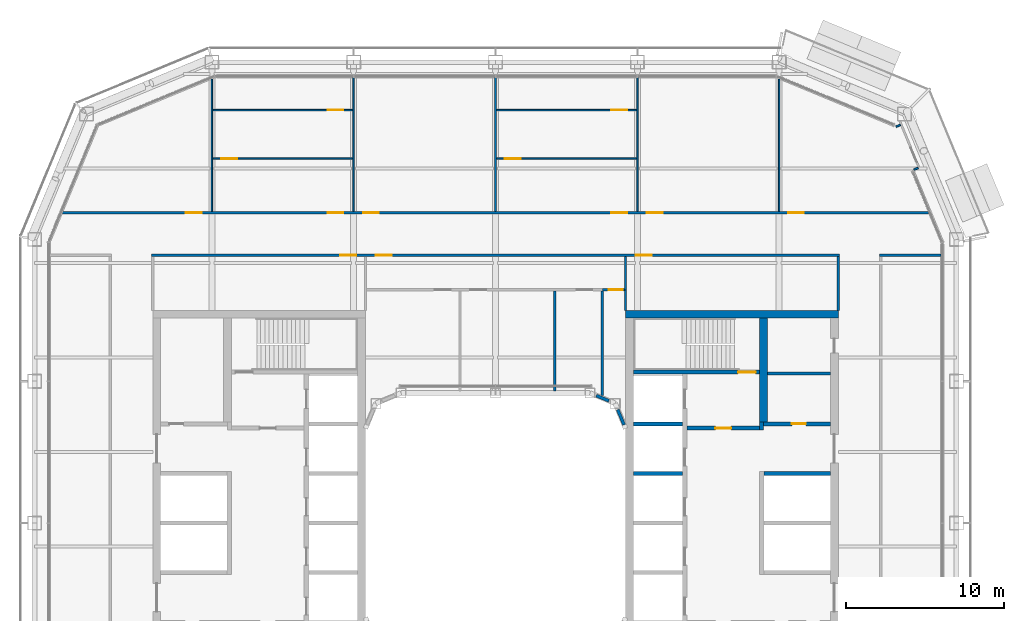
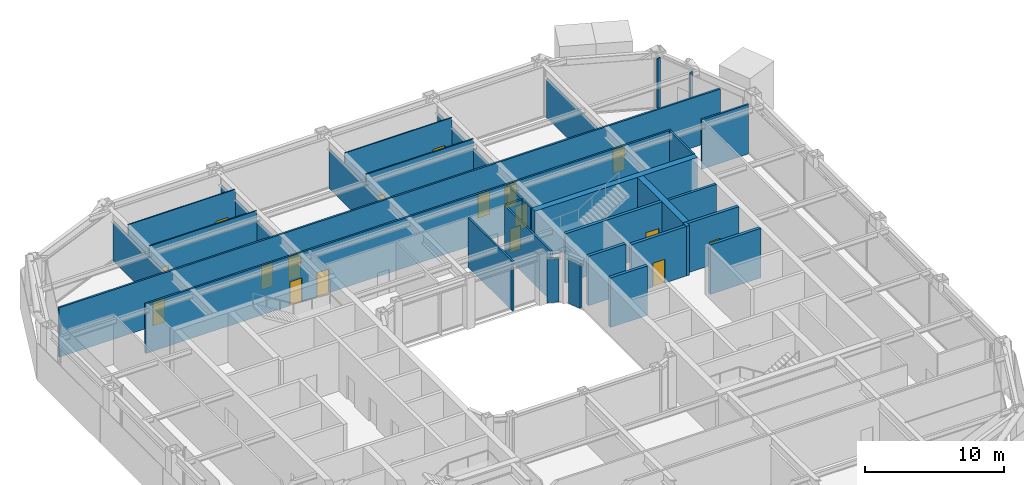
# One storey, part 14 of 24: 32 walls, 17 doors, 17 openings.
"""IFC4 building model written with IfcOpenShell, lengths in metres."""

from ifc_helpers import new_model, si_unit, direction, frame, frame_2d, origin, place, context, subcontext, project, spatial, rectangle, extrude, material, layer, layer_set, type_object, element, fill, save


model = new_model("IFC4")

# Units and contexts
model_context = context("Model", 3, precision=1e-05, world=origin(), true_north=direction((0.0, 1.0)))
body_context = subcontext(model_context, "Body", "Model", "MODEL_VIEW")
ifc_project = project(units=[si_unit("LENGTHUNIT", "METRE"), si_unit("AREAUNIT", "SQUARE_METRE"), si_unit("VOLUMEUNIT", "CUBIC_METRE"), si_unit("PLANEANGLEUNIT", "RADIAN"), si_unit("MASSUNIT", "GRAM", prefix="KILO")], contexts=[model_context])

# Site, building, storey
site_placement = place(None, origin())
site = spatial("IfcSite", under=ifc_project, at=site_placement, CompositionType="ELEMENT")
building_placement = place(site_placement, origin())
building = spatial("IfcBuilding", under=site, at=building_placement, Name="Siwar Civic Tower", CompositionType="ELEMENT")
storey_placement = place(building_placement, frame((0.0, 0.0, 149.699951171875)))
storey = spatial("IfcBuildingStorey", under=building, at=storey_placement, Name="L32", CompositionType="ELEMENT", Elevation=149.699951171875)

# Wall, opening, door
ifc_material_1 = material(Name="Gypsum board on steel studs", Category="steel")
ifc_layer_1 = layer(ifc_material_1, 0.14990234375)
ifc_layer_set_1 = layer_set([ifc_layer_1], Name="Gypsum board on steel studs")
wall_type_1 = type_object("IfcWallType", Name="COMPARTMENT PARTITION 150 EI 60", PredefinedType="PARTITIONING", material=ifc_layer_set_1)
wall_1_placement = place(storey_placement, frame((6.780029296875, 14.800048828125, 0.0), z_axis=(0.0, 0.0, 1.0), x_axis=(1.0, 0.0, 0.0)))
wall_1 = element("IfcWall", 1, at=wall_1_placement, inside=storey, type_object=wall_type_1, Name="L32/wall/P09", PredefinedType="PARTITIONING", context=body_context, shape_type="SweptSolid", body=[
    extrude(rectangle(XDim=1.39501953125, YDim=0.14990234375, at=frame_2d((0.697509765625, 0.0))), origin(), (0.0, 0.0, 1.0), 4.35009765625),
])
opening_1_placement = place(wall_1_placement, frame((0.39990234375, 0.0, 0.0)))
opening_1 = element("IfcOpeningElement", 2, at=opening_1_placement, cuts=wall_1, Name="Opening D4", PredefinedType="OPENING", context=body_context, shape_type="SweptSolid", body=[
    extrude(rectangle(XDim=0.89990234375, YDim=2.10009765625, at=frame_2d((0.449951171875, 1.050048828125))), frame((0.0, 0.0849609375, 0.0), z_axis=(0.0, -1.0, 0.0), x_axis=(1.0, 0.0, 0.0)), (0.0, 0.0, 1.0), 0.169921875),
])
ifc_material_2 = material(Name="Timber, painted", Category="wood")
door_type_1 = type_object("IfcDoorType", Name="DOOR 900 X 2100 FD60", OperationType="SINGLE_SWING_LEFT", PredefinedType="DOOR", material=ifc_material_2)
door_1_placement = place(opening_1_placement, origin())
door_1 = element("IfcDoor", 3, at=door_1_placement, inside=storey, type_object=door_type_1, Name="L32-D25", OperationType="SINGLE_SWING_LEFT", OverallHeight=2.10009765625, OverallWidth=0.89990234375, PredefinedType="DOOR", context=body_context, shape_type="SweptSolid", body=[
    extrude(rectangle(XDim=0.89990234375, YDim=2.10009765625, at=frame_2d((0.449951171875, 1.050048828125))), frame((0.0, 0.02490234375, 0.0), z_axis=(0.0, -1.0, 0.0), x_axis=(1.0, 0.0, 0.0)), (0.0, 0.0, 1.0), 0.050048828125),
])
fill(opening_1, door_1)

# Walls
wall_2_placement = place(storey_placement, frame((6.780029296875, 8.0869140625, 0.0), z_axis=(0.0, 0.0, 1.0), x_axis=(0.0, 1.0, 0.0)))
element("IfcWall", 4, at=wall_2_placement, inside=storey, type_object=wall_type_1, Name="L32/wall/P33", PredefinedType="PARTITIONING", context=body_context, shape_type="SweptSolid", body=[
    extrude(rectangle(XDim=6.63818359375, YDim=0.14990234375, at=frame_2d((3.319091796875, 0.0))), origin(), (0.0, 0.0, 1.0), 4.35009765625),
])
wall_3_placement = place(storey_placement, frame((8.25, 13.5, 0.0), z_axis=(0.0, 0.0, 1.0), x_axis=(0.0, 1.0, 0.0)))
element("IfcWall", 5, at=wall_3_placement, inside=storey, type_object=wall_type_1, Name="L32/wall/P36", PredefinedType="PARTITIONING", context=body_context, shape_type="SweptSolid", body=[
    extrude(rectangle(XDim=1.300048828125, YDim=0.14990234375, at=frame_2d((0.64990234375, 0.0))), origin(), (0.0, 0.0, 1.0), 4.35009765625),
])
ifc_material_3 = material(Name="Gypsum board on steel studs", Category="steel")
ifc_layer_2 = layer(ifc_material_3, 0.199951171875)
ifc_layer_set_2 = layer_set([ifc_layer_2], Name="Gypsum board on steel studs")
wall_type_2 = type_object("IfcWallType", Name="CORE-PARTITION-200", PredefinedType="PARTITIONING", material=ifc_layer_set_2)
wall_4_placement = place(storey_placement, frame((17.25, 9.5, 0.0), z_axis=(0.0, 0.0, 1.0), x_axis=(1.0, 0.0, 0.0)))
element("IfcWall", 6, at=wall_4_placement, inside=storey, type_object=wall_type_2, Name="Core partition E", PredefinedType="PARTITIONING", context=body_context, shape_type="SweptSolid", body=[
    extrude(rectangle(XDim=4.0, YDim=0.199951171875, at=frame_2d((2.0, 0.0))), origin(), (0.0, 0.0, 1.0), 4.35009765625),
])

# Wall, opening, door
ifc_material_4 = material(Name="Concrete C60/75", Category="concrete")
ifc_layer_3 = layer(ifc_material_4, 0.25)
ifc_layer_set_3 = layer_set([ifc_layer_3], Name="Concrete C60/75")
wall_type_3 = type_object("IfcWallType", Name="CORE-WALL-RC250", PredefinedType="SHEAR", material=ifc_layer_set_3)
wall_5_placement = place(storey_placement, frame((12.14990234375, 6.02490234375, 0.0), z_axis=(0.0, 0.0, 1.0), x_axis=(1.0, 0.0, 0.0)))
wall_5 = element("IfcWall", 7, at=wall_5_placement, inside=storey, type_object=wall_type_3, Name="Core wall E", PredefinedType="SHEAR", context=body_context, shape_type="SweptSolid", body=[
    extrude(rectangle(XDim=4.60009765625, YDim=0.25, at=frame_2d((2.300048828125, 0.0))), origin(), (0.0, 0.0, 1.0), 4.35009765625),
])
opening_2_placement = place(wall_5_placement, frame((1.800048828125, 0.0, 0.0)))
opening_2 = element("IfcOpeningElement", 8, at=opening_2_placement, cuts=wall_5, Name="Opening L32-CE01", PredefinedType="OPENING", context=body_context, shape_type="SweptSolid", body=[
    extrude(rectangle(XDim=1.0, YDim=2.10009765625, at=frame_2d((0.5, 1.050048828125))), frame((0.0, 0.135009765625, 0.0), z_axis=(0.0, -1.0, 0.0), x_axis=(1.0, 0.0, 0.0)), (0.0, 0.0, 1.0), 0.27001953125),
])
ifc_material_5 = material(Name="Steel door leaf", Category="steel")
door_type_2 = type_object("IfcDoorType", Name="CORE-DOOR-FD30S", OperationType="SINGLE_SWING_LEFT", PredefinedType="DOOR", material=ifc_material_5)
door_2_placement = place(opening_2_placement, origin())
door_2 = element("IfcDoor", 9, at=door_2_placement, inside=storey, type_object=door_type_2, Name="Firefighting lobby door L32-CE01", OperationType="SINGLE_SWING_RIGHT", OverallHeight=2.10009765625, OverallWidth=1.0, PredefinedType="DOOR", context=body_context, shape_type="SweptSolid", body=[
    extrude(rectangle(XDim=1.0, YDim=2.10009765625, at=frame_2d((0.5, 1.050048828125))), frame((0.0, 0.02490234375, 0.0), z_axis=(0.0, -1.0, 0.0), x_axis=(1.0, 0.0, 0.0)), (0.0, 0.0, 1.0), 0.050048828125),
])
fill(opening_2, door_2)

# Wall
wall_6_placement = place(storey_placement, frame((16.875, 5.89990234375, 0.0), z_axis=(0.0, 0.0, 1.0), x_axis=(0.0, 1.0, 0.0)))
element("IfcWall", 10, at=wall_6_placement, inside=storey, type_object=wall_type_3, Name="Core wall E", PredefinedType="SHEAR", context=body_context, shape_type="SweptSolid", body=[
    extrude(rectangle(XDim=0.525146484375, YDim=0.25, at=frame_2d((0.2626953125, 0.0))), origin(), (0.0, 0.0, 1.0), 4.35009765625),
])

# Wall, opening, door
wall_7_placement = place(storey_placement, frame((17.0, 6.300048828125, 0.0), z_axis=(0.0, 0.0, 1.0), x_axis=(1.0, 0.0, 0.0)))
wall_7 = element("IfcWall", 11, at=wall_7_placement, inside=storey, type_object=wall_type_3, Name="Core wall E", PredefinedType="SHEAR", context=body_context, shape_type="SweptSolid", body=[
    extrude(rectangle(XDim=4.25, YDim=0.25, at=frame_2d((2.125, 0.0))), origin(), (0.0, 0.0, 1.0), 4.35009765625),
])
opening_3_placement = place(wall_7_placement, frame((1.800048828125, 0.0, 0.0)))
opening_3 = element("IfcOpeningElement", 12, at=opening_3_placement, cuts=wall_7, Name="Opening L32-CE13", PredefinedType="OPENING", context=body_context, shape_type="SweptSolid", body=[
    extrude(rectangle(XDim=0.89990234375, YDim=2.10009765625, at=frame_2d((0.449951171875, 1.050048828125))), frame((0.0, 0.135009765625, 0.0), z_axis=(0.0, -1.0, 0.0), x_axis=(1.0, 0.0, 0.0)), (0.0, 0.0, 1.0), 0.27001953125),
])
ifc_material_6 = material(Name="Steel door leaf", Category="steel")
door_type_3 = type_object("IfcDoorType", Name="CORE-DOOR-ROOM", OperationType="SINGLE_SWING_LEFT", PredefinedType="DOOR", material=ifc_material_6)
door_3_placement = place(opening_3_placement, origin())
door_3 = element("IfcDoor", 13, at=door_3_placement, inside=storey, type_object=door_type_3, Name="Core room door L32-CE13", OperationType="SINGLE_SWING_RIGHT", OverallHeight=2.10009765625, OverallWidth=0.89990234375, PredefinedType="DOOR", context=body_context, shape_type="SweptSolid", body=[
    extrude(rectangle(XDim=0.89990234375, YDim=2.10009765625, at=frame_2d((0.449951171875, 1.050048828125))), frame((0.0, 0.02490234375, 0.0), z_axis=(0.0, -1.0, 0.0), x_axis=(1.0, 0.0, 0.0)), (0.0, 0.0, 1.0), 0.050048828125),
])
fill(opening_3, door_3)

# Walls
wall_8_placement = place(storey_placement, frame((17.050048828125, 3.14990234375, 0.0), z_axis=(0.0, 0.0, 1.0), x_axis=(1.0, 0.0, 0.0)))
element("IfcWall", 14, at=wall_8_placement, inside=storey, type_object=wall_type_3, Name="Core wall E", PredefinedType="SHEAR", context=body_context, shape_type="SweptSolid", body=[
    extrude(rectangle(XDim=4.199951171875, YDim=0.25, at=frame_2d((2.10009765625, 0.0))), origin(), (0.0, 0.0, 1.0), 4.35009765625),
])
for number, where, z_axis, x_axis, name in (
    (15, (8.75, 3.14990234375, 0.0), (0.0, 0.0, 1.0), (1.0, 0.0, 0.0), "Core wall E"),
    (16, (8.75, 6.300048828125, 0.0), (0.0, 0.0, 1.0), (1.0, 0.0, 0.0), "Core wall E"),
):
    element("IfcWall", number, at=place(storey_placement, frame(where, z_axis=z_axis, x_axis=x_axis)), inside=storey, type_object=wall_type_3, Name=name, PredefinedType="SHEAR", context=body_context, shape_type="SweptSolid", body=[
        extrude(rectangle(XDim=3.10009765625, YDim=0.25, at=frame_2d((1.550048828125, 0.0))), origin(), (0.0, 0.0, 1.0), 4.35009765625),
    ])

# Wall, opening, door
wall_9_placement = place(storey_placement, frame((8.75, 9.574951171875, 0.0), z_axis=(0.0, 0.0, 1.0), x_axis=(1.0, 0.0, 0.0)))
wall_9 = element("IfcWall", 17, at=wall_9_placement, inside=storey, type_object=wall_type_3, Name="Core wall E", PredefinedType="SHEAR", context=body_context, shape_type="SweptSolid", body=[
    extrude(rectangle(XDim=8.0, YDim=0.25, at=frame_2d((4.0, 0.0))), origin(), (0.0, 0.0, 1.0), 4.35009765625),
])
opening_4_placement = place(wall_9_placement, frame((6.64990234375, 0.0, 0.0)))
opening_4 = element("IfcOpeningElement", 18, at=opening_4_placement, cuts=wall_9, Name="Opening L32-CE03", PredefinedType="OPENING", context=body_context, shape_type="SweptSolid", body=[
    extrude(rectangle(XDim=1.10009765625, YDim=2.10009765625, at=frame_2d((0.550048828125, 1.050048828125))), frame((0.0, 0.135009765625, 0.0), z_axis=(0.0, -1.0, 0.0), x_axis=(1.0, 0.0, 0.0)), (0.0, 0.0, 1.0), 0.27001953125),
])
ifc_material_7 = material(Name="Steel door leaf", Category="steel")
door_type_4 = type_object("IfcDoorType", Name="CORE-DOOR-FD60S", OperationType="SINGLE_SWING_LEFT", PredefinedType="DOOR", material=ifc_material_7)
door_4_placement = place(opening_4_placement, origin())
door_4 = element("IfcDoor", 19, at=door_4_placement, inside=storey, type_object=door_type_4, Name="Stair door L32-CE03", OperationType="SINGLE_SWING_LEFT", OverallHeight=2.10009765625, OverallWidth=1.10009765625, PredefinedType="DOOR", context=body_context, shape_type="SweptSolid", body=[
    extrude(rectangle(XDim=1.10009765625, YDim=2.10009765625, at=frame_2d((0.550048828125, 1.050048828125))), frame((0.0, 0.02490234375, 0.0), z_axis=(0.0, -1.0, 0.0), x_axis=(1.0, 0.0, 0.0)), (0.0, 0.0, 1.0), 0.050048828125),
])
fill(opening_4, door_4)

# Walls
ifc_material_8 = material(Name="Concrete C60/75", Category="concrete")
ifc_layer_4 = layer(ifc_material_8, 0.5)
ifc_layer_set_4 = layer_set([ifc_layer_4], Name="Concrete C60/75")
wall_type_4 = type_object("IfcWallType", Name="CORE-WALL-RC500", PredefinedType="SHEAR", material=ifc_layer_set_4)
wall_10_placement = place(storey_placement, frame((17.0, 6.425048828125, 0.0), z_axis=(0.0, 0.0, 1.0), x_axis=(0.0, 1.0, 0.0)))
element("IfcWall", 20, at=wall_10_placement, inside=storey, type_object=wall_type_4, Name="Core wall E", PredefinedType="SHEAR", context=body_context, shape_type="SweptSolid", body=[
    extrude(rectangle(XDim=6.574951171875, YDim=0.5, at=frame_2d((3.28759765625, 0.0))), origin(), (0.0, 0.0, 1.0), 4.35009765625),
])
wall_11_placement = place(storey_placement, frame((8.25, 13.25, 0.0), z_axis=(0.0, 0.0, 1.0), x_axis=(1.0, 0.0, 0.0)))
element("IfcWall", 21, at=wall_11_placement, inside=storey, type_object=wall_type_4, Name="Core wall E", PredefinedType="SHEAR", context=body_context, shape_type="SweptSolid", body=[
    extrude(rectangle(XDim=13.5, YDim=0.5, at=frame_2d((6.75, 0.0))), origin(), (0.0, 0.0, 1.0), 4.35009765625),
])

# Wall, openings, doors
ifc_material_9 = material(Name="Gypsum board on steel studs", Category="steel")
ifc_layer_5 = layer(ifc_material_9, 0.14990234375)
ifc_layer_set_5 = layer_set([ifc_layer_5], Name="Gypsum board on steel studs")
wall_type_5 = type_object("IfcWallType", Name="CORRIDOR PARTITION 150 EI 30", PredefinedType="PARTITIONING", material=ifc_layer_set_5)
wall_12_placement = place(storey_placement, frame((-21.824951171875, 17.0, 0.0), z_axis=(0.0, 0.0, 1.0), x_axis=(1.0, 0.0, 0.0)))
wall_12 = element("IfcWall", 22, at=wall_12_placement, inside=storey, type_object=wall_type_5, Name="L32/wall/P11", PredefinedType="PARTITIONING", context=body_context, shape_type="SweptSolid", body=[
    extrude(rectangle(XDim=43.64990234375, YDim=0.14990234375, at=frame_2d((21.824951171875, 0.0))), origin(), (0.0, 0.0, 1.0), 4.35009765625),
])
opening_5_placement = place(wall_12_placement, frame((14.22509765625, 0.0, 0.0)))
opening_5 = element("IfcOpeningElement", 23, at=opening_5_placement, cuts=wall_12, Name="Opening D1", PredefinedType="OPENING", context=body_context, shape_type="SweptSolid", body=[
    extrude(rectangle(XDim=1.0, YDim=2.10009765625, at=frame_2d((0.5, 1.050048828125))), frame((0.0, 0.0849609375, 0.0), z_axis=(0.0, -1.0, 0.0), x_axis=(1.0, 0.0, 0.0)), (0.0, 0.0, 1.0), 0.169921875),
])
opening_6_placement = place(wall_12_placement, frame((11.97509765625, 0.0, 0.0)))
opening_6 = element("IfcOpeningElement", 24, at=opening_6_placement, cuts=wall_12, Name="Opening D1", PredefinedType="OPENING", context=body_context, shape_type="SweptSolid", body=[
    extrude(rectangle(XDim=1.0, YDim=2.10009765625, at=frame_2d((0.5, 1.050048828125))), frame((0.0, 0.0849609375, 0.0), z_axis=(0.0, -1.0, 0.0), x_axis=(1.0, 0.0, 0.0)), (0.0, 0.0, 1.0), 0.169921875),
])
opening_7_placement = place(wall_12_placement, frame((30.72509765625, 0.0, 0.0)))
opening_7 = element("IfcOpeningElement", 25, at=opening_7_placement, cuts=wall_12, Name="Opening D1", PredefinedType="OPENING", context=body_context, shape_type="SweptSolid", body=[
    extrude(rectangle(XDim=1.0, YDim=2.10009765625, at=frame_2d((0.5, 1.050048828125))), frame((0.0, 0.0849609375, 0.0), z_axis=(0.0, -1.0, 0.0), x_axis=(1.0, 0.0, 0.0)), (0.0, 0.0, 1.0), 0.169921875),
])
ifc_material_10 = material(Name="Timber, painted", Category="wood")
door_type_5 = type_object("IfcDoorType", Name="DOOR 1000 X 2100 FD30", OperationType="SINGLE_SWING_LEFT", PredefinedType="DOOR", material=ifc_material_10)
door_5_placement = place(opening_5_placement, origin())
door_5 = element("IfcDoor", 26, at=door_5_placement, inside=storey, type_object=door_type_5, Name="L32-D21", OperationType="SINGLE_SWING_LEFT", OverallHeight=2.10009765625, OverallWidth=1.0, PredefinedType="DOOR", context=body_context, shape_type="SweptSolid", body=[
    extrude(rectangle(XDim=1.0, YDim=2.10009765625, at=frame_2d((0.5, 1.050048828125))), frame((0.0, 0.02490234375, 0.0), z_axis=(0.0, -1.0, 0.0), x_axis=(1.0, 0.0, 0.0)), (0.0, 0.0, 1.0), 0.050048828125),
])
fill(opening_5, door_5)
door_6_placement = place(opening_6_placement, origin())
door_6 = element("IfcDoor", 27, at=door_6_placement, inside=storey, type_object=door_type_5, Name="L32-D28", OperationType="SINGLE_SWING_RIGHT", OverallHeight=2.10009765625, OverallWidth=1.0, PredefinedType="DOOR", context=body_context, shape_type="SweptSolid", body=[
    extrude(rectangle(XDim=1.0, YDim=2.10009765625, at=frame_2d((0.5, 1.050048828125))), frame((0.0, 0.02490234375, 0.0), z_axis=(0.0, -1.0, 0.0), x_axis=(1.0, 0.0, 0.0)), (0.0, 0.0, 1.0), 0.050048828125),
])
fill(opening_6, door_6)
door_7_placement = place(opening_7_placement, origin())
door_7 = element("IfcDoor", 28, at=door_7_placement, inside=storey, type_object=door_type_5, Name="L32-D29", OperationType="SINGLE_SWING_LEFT", OverallHeight=2.10009765625, OverallWidth=1.0, PredefinedType="DOOR", context=body_context, shape_type="SweptSolid", body=[
    extrude(rectangle(XDim=1.0, YDim=2.10009765625, at=frame_2d((0.5, 1.050048828125))), frame((0.0, 0.02490234375, 0.0), z_axis=(0.0, -1.0, 0.0), x_axis=(1.0, 0.0, 0.0)), (0.0, 0.0, 1.0), 0.050048828125),
])
fill(opening_7, door_7)

# Wall
wall_13_placement = place(storey_placement, frame((24.375, 17.0, 0.0), z_axis=(0.0, 0.0, 1.0), x_axis=(1.0, 0.0, 0.0)))
element("IfcWall", 29, at=wall_13_placement, inside=storey, type_object=wall_type_5, Name="L32/wall/P12", PredefinedType="PARTITIONING", context=body_context, shape_type="SweptSolid", body=[
    extrude(rectangle(XDim=3.885009765625, YDim=0.14990234375, at=frame_2d((1.9423828125, 0.0))), origin(), (0.0, 0.0, 1.0), 4.35009765625),
])

# Wall, openings, doors
wall_14_placement = place(storey_placement, frame((-27.47412109375, 19.699951171875, 0.0), z_axis=(0.0, 0.0, 1.0), x_axis=(1.0, 0.0, 0.0)))
wall_14 = element("IfcWall", 30, at=wall_14_placement, inside=storey, type_object=wall_type_5, Name="L32/wall/P13", PredefinedType="PARTITIONING", context=body_context, shape_type="SweptSolid", body=[
    extrude(rectangle(XDim=54.9482421875, YDim=0.14990234375, at=frame_2d((27.47412109375, 0.0))), origin(), (0.0, 0.0, 1.0), 4.35009765625),
])
opening_8_placement = place(wall_14_placement, frame((16.823974609375, 0.0, 0.0)))
opening_8 = element("IfcOpeningElement", 31, at=opening_8_placement, cuts=wall_14, Name="Opening D1", PredefinedType="OPENING", context=body_context, shape_type="SweptSolid", body=[
    extrude(rectangle(XDim=1.0, YDim=2.10009765625, at=frame_2d((0.5, 1.050048828125))), frame((0.0, 0.0849609375, 0.0), z_axis=(0.0, -1.0, 0.0), x_axis=(1.0, 0.0, 0.0)), (0.0, 0.0, 1.0), 0.169921875),
])
opening_9_placement = place(wall_14_placement, frame((19.073974609375, 0.0, 0.0)))
opening_9 = element("IfcOpeningElement", 32, at=opening_9_placement, cuts=wall_14, Name="Opening D1", PredefinedType="OPENING", context=body_context, shape_type="SweptSolid", body=[
    extrude(rectangle(XDim=1.0, YDim=2.10009765625, at=frame_2d((0.5, 1.050048828125))), frame((0.0, 0.0849609375, 0.0), z_axis=(0.0, -1.0, 0.0), x_axis=(1.0, 0.0, 0.0)), (0.0, 0.0, 1.0), 0.169921875),
])
opening_10_placement = place(wall_14_placement, frame((34.823974609375, 0.0, 0.0)))
opening_10 = element("IfcOpeningElement", 33, at=opening_10_placement, cuts=wall_14, Name="Opening D1", PredefinedType="OPENING", context=body_context, shape_type="SweptSolid", body=[
    extrude(rectangle(XDim=1.0, YDim=2.10009765625, at=frame_2d((0.5, 1.050048828125))), frame((0.0, 0.0849609375, 0.0), z_axis=(0.0, -1.0, 0.0), x_axis=(1.0, 0.0, 0.0)), (0.0, 0.0, 1.0), 0.169921875),
])
opening_11_placement = place(wall_14_placement, frame((37.073974609375, 0.0, 0.0)))
opening_11 = element("IfcOpeningElement", 34, at=opening_11_placement, cuts=wall_14, Name="Opening D1", PredefinedType="OPENING", context=body_context, shape_type="SweptSolid", body=[
    extrude(rectangle(XDim=1.0, YDim=2.10009765625, at=frame_2d((0.5, 1.050048828125))), frame((0.0, 0.0849609375, 0.0), z_axis=(0.0, -1.0, 0.0), x_axis=(1.0, 0.0, 0.0)), (0.0, 0.0, 1.0), 0.169921875),
])
opening_12_placement = place(wall_14_placement, frame((7.823974609375, 0.0, 0.0)))
opening_12 = element("IfcOpeningElement", 35, at=opening_12_placement, cuts=wall_14, Name="Opening D1", PredefinedType="OPENING", context=body_context, shape_type="SweptSolid", body=[
    extrude(rectangle(XDim=1.0, YDim=2.10009765625, at=frame_2d((0.5, 1.050048828125))), frame((0.0, 0.0849609375, 0.0), z_axis=(0.0, -1.0, 0.0), x_axis=(1.0, 0.0, 0.0)), (0.0, 0.0, 1.0), 0.169921875),
])
opening_13_placement = place(wall_14_placement, frame((46.048095703125, 0.0, 0.0)))
opening_13 = element("IfcOpeningElement", 36, at=opening_13_placement, cuts=wall_14, Name="Opening D1", PredefinedType="OPENING", context=body_context, shape_type="SweptSolid", body=[
    extrude(rectangle(XDim=1.0, YDim=2.10009765625, at=frame_2d((0.5, 1.050048828125))), frame((0.0, 0.0849609375, 0.0), z_axis=(0.0, -1.0, 0.0), x_axis=(1.0, 0.0, 0.0)), (0.0, 0.0, 1.0), 0.169921875),
])
door_8_placement = place(opening_8_placement, origin())
door_8 = element("IfcDoor", 37, at=door_8_placement, inside=storey, type_object=door_type_5, Name="L32-D01", OperationType="SINGLE_SWING_LEFT", OverallHeight=2.10009765625, OverallWidth=1.0, PredefinedType="DOOR", context=body_context, shape_type="SweptSolid", body=[
    extrude(rectangle(XDim=1.0, YDim=2.10009765625, at=frame_2d((0.5, 1.050048828125))), frame((0.0, 0.02490234375, 0.0), z_axis=(0.0, -1.0, 0.0), x_axis=(1.0, 0.0, 0.0)), (0.0, 0.0, 1.0), 0.050048828125),
])
fill(opening_8, door_8)
door_9_placement = place(opening_9_placement, origin())
door_9 = element("IfcDoor", 38, at=door_9_placement, inside=storey, type_object=door_type_5, Name="L32-D04", OperationType="SINGLE_SWING_RIGHT", OverallHeight=2.10009765625, OverallWidth=1.0, PredefinedType="DOOR", context=body_context, shape_type="SweptSolid", body=[
    extrude(rectangle(XDim=1.0, YDim=2.10009765625, at=frame_2d((0.5, 1.050048828125))), frame((0.0, 0.02490234375, 0.0), z_axis=(0.0, -1.0, 0.0), x_axis=(1.0, 0.0, 0.0)), (0.0, 0.0, 1.0), 0.050048828125),
])
fill(opening_9, door_9)
door_10_placement = place(opening_10_placement, origin())
door_10 = element("IfcDoor", 39, at=door_10_placement, inside=storey, type_object=door_type_5, Name="L32-D05", OperationType="SINGLE_SWING_LEFT", OverallHeight=2.10009765625, OverallWidth=1.0, PredefinedType="DOOR", context=body_context, shape_type="SweptSolid", body=[
    extrude(rectangle(XDim=1.0, YDim=2.10009765625, at=frame_2d((0.5, 1.050048828125))), frame((0.0, 0.02490234375, 0.0), z_axis=(0.0, -1.0, 0.0), x_axis=(1.0, 0.0, 0.0)), (0.0, 0.0, 1.0), 0.050048828125),
])
fill(opening_10, door_10)
door_11_placement = place(opening_11_placement, origin())
door_11 = element("IfcDoor", 40, at=door_11_placement, inside=storey, type_object=door_type_5, Name="L32-D08", OperationType="SINGLE_SWING_RIGHT", OverallHeight=2.10009765625, OverallWidth=1.0, PredefinedType="DOOR", context=body_context, shape_type="SweptSolid", body=[
    extrude(rectangle(XDim=1.0, YDim=2.10009765625, at=frame_2d((0.5, 1.050048828125))), frame((0.0, 0.02490234375, 0.0), z_axis=(0.0, -1.0, 0.0), x_axis=(1.0, 0.0, 0.0)), (0.0, 0.0, 1.0), 0.050048828125),
])
fill(opening_11, door_11)
door_12_placement = place(opening_12_placement, origin())
door_12 = element("IfcDoor", 41, at=door_12_placement, inside=storey, type_object=door_type_5, Name="L32-D15", OperationType="SINGLE_SWING_LEFT", OverallHeight=2.10009765625, OverallWidth=1.0, PredefinedType="DOOR", context=body_context, shape_type="SweptSolid", body=[
    extrude(rectangle(XDim=1.0, YDim=2.10009765625, at=frame_2d((0.5, 1.050048828125))), frame((0.0, 0.02490234375, 0.0), z_axis=(0.0, -1.0, 0.0), x_axis=(1.0, 0.0, 0.0)), (0.0, 0.0, 1.0), 0.050048828125),
])
fill(opening_12, door_12)
door_13_placement = place(opening_13_placement, origin())
door_13 = element("IfcDoor", 42, at=door_13_placement, inside=storey, type_object=door_type_5, Name="L32-D16", OperationType="SINGLE_SWING_RIGHT", OverallHeight=2.10009765625, OverallWidth=1.0, PredefinedType="DOOR", context=body_context, shape_type="SweptSolid", body=[
    extrude(rectangle(XDim=1.0, YDim=2.10009765625, at=frame_2d((0.5, 1.050048828125))), frame((0.0, 0.02490234375, 0.0), z_axis=(0.0, -1.0, 0.0), x_axis=(1.0, 0.0, 0.0)), (0.0, 0.0, 1.0), 0.050048828125),
])
fill(opening_13, door_13)

# Walls
wall_15_placement = place(storey_placement, frame((3.75, 8.3701171875, 0.0), z_axis=(0.0, 0.0, 1.0), x_axis=(0.0, 1.0, 0.0)))
element("IfcWall", 43, at=wall_15_placement, inside=storey, type_object=wall_type_5, Name="L32/wall/P32", PredefinedType="PARTITIONING", context=body_context, shape_type="SweptSolid", body=[
    extrude(rectangle(XDim=6.35498046875, YDim=0.14990234375, at=frame_2d((3.177490234375, 0.0))), origin(), (0.0, 0.0, 1.0), 4.35009765625),
])
wall_16_placement = place(storey_placement, frame((8.25, 14.800048828125, 0.0), z_axis=(0.0, 0.0, 1.0), x_axis=(0.0, 1.0, 0.0)))
element("IfcWall", 44, at=wall_16_placement, inside=storey, type_object=wall_type_5, Name="L32/wall/P35", PredefinedType="PARTITIONING", context=body_context, shape_type="SweptSolid", body=[
    extrude(rectangle(XDim=2.125, YDim=0.14990234375, at=frame_2d((1.0625, 0.0))), origin(), (0.0, 0.0, 1.0), 4.35009765625),
])
wall_17_placement = place(storey_placement, frame((21.75, 13.5, 0.0), z_axis=(0.0, 0.0, 1.0), x_axis=(0.0, 1.0, 0.0)))
element("IfcWall", 45, at=wall_17_placement, inside=storey, type_object=wall_type_5, Name="L32/wall/P42", PredefinedType="PARTITIONING", context=body_context, shape_type="SweptSolid", body=[
    extrude(rectangle(XDim=3.425048828125, YDim=0.14990234375, at=frame_2d((1.71240234375, 0.0))), origin(), (0.0, 0.0, 1.0), 4.35009765625),
])
ifc_material_11 = material(Name="Aluminium clad insulated panel", Category="aluminium")
ifc_layer_6 = layer(ifc_material_11, 0.1201171875)
ifc_layer_set_6 = layer_set([ifc_layer_6], Name="Aluminium clad insulated panel")
wall_type_6 = type_object("IfcWallType", Name="ENV-WALL-BAL", PredefinedType="STANDARD", material=ifc_layer_set_6)
for number, where, z_axis, x_axis, name in (
    (46, (26.551025390625, 22.42529296875, 0.0), (0.0, 0.0, 1.0), (0.924119333865, 0.382103986862, 0.0), "Balcony door wall return NE1"),
    (47, (25.421142578125, 25.153076171875, 0.0), (0.0, 0.0, 1.0), (0.923698510492, 0.383120166156, 0.0), "Balcony door wall return NE1"),
):
    element("IfcWall", number, at=place(storey_placement, frame(where, z_axis=z_axis, x_axis=x_axis)), inside=storey, type_object=wall_type_6, Name=name, PredefinedType="STANDARD", context=body_context, shape_type="SweptSolid", body=[
        extrude(rectangle(XDim=0.2900390625, YDim=0.1201171875, at=frame_2d((0.14501953125, 0.0))), origin(), (0.0, 0.0, 1.0), 4.35009765625),
    ])
ifc_material_12 = material(Name="Aluminium clad insulated panel", Category="aluminium")
ifc_layer_7 = layer(ifc_material_12, 0.199951171875)
ifc_layer_set_7 = layer_set([ifc_layer_7], Name="Aluminium clad insulated panel")
wall_type_7 = type_object("IfcWallType", Name="ENV-WALL-WELL", PredefinedType="STANDARD", material=ifc_layer_set_7)
wall_18_placement = place(storey_placement, frame((8.154296875, 6.23095703125, 0.0), z_axis=(0.0, 0.0, 1.0), x_axis=(-0.382694858887, 0.923874799408, 0.0)))
element("IfcWall", 48, at=wall_18_placement, inside=storey, type_object=wall_type_7, Name="Light well corner wall NE1", PredefinedType="STANDARD", context=body_context, shape_type="SweptSolid", body=[
    extrude(rectangle(XDim=1.047607421875, YDim=0.199951171875, at=frame_2d((0.52392578125, 0.0))), origin(), (0.0, 0.0, 1.0), 3.825927734375),
])
wall_19_placement = place(storey_placement, frame((7.19873046875, 7.75341796875, 0.0), z_axis=(0.0, 0.0, 1.0), x_axis=(-0.923894108428, 0.382648241093, 0.0)))
element("IfcWall", 49, at=wall_19_placement, inside=storey, type_object=wall_type_7, Name="Light well corner wall NE2", PredefinedType="STANDARD", context=body_context, shape_type="SweptSolid", body=[
    extrude(rectangle(XDim=0.872802734375, YDim=0.199951171875, at=frame_2d((0.4365234375, 0.0))), origin(), (0.0, 0.0, 1.0), 3.825927734375),
])

# Wall, opening, door
ifc_material_13 = material(Name="Gypsum board on steel studs", Category="steel")
ifc_layer_8 = layer(ifc_material_13, 0.10009765625)
ifc_layer_set_8 = layer_set([ifc_layer_8], Name="Gypsum board on steel studs")
wall_type_8 = type_object("IfcWallType", Name="PARTITION 100 GYPSUM", PredefinedType="PARTITIONING", material=ifc_layer_set_8)
wall_20_placement = place(storey_placement, frame((-17.949951171875, 23.1240234375, 0.0), z_axis=(0.0, 0.0, 1.0), x_axis=(1.0, 0.0, 0.0)))
wall_20 = element("IfcWall", 50, at=wall_20_placement, inside=storey, type_object=wall_type_8, Name="L32/wall/P14", PredefinedType="PARTITIONING", context=body_context, shape_type="SweptSolid", body=[
    extrude(rectangle(XDim=8.89990234375, YDim=0.10009765625, at=frame_2d((4.449951171875, 0.0))), origin(), (0.0, 0.0, 1.0), 4.35009765625),
])
opening_14_placement = place(wall_20_placement, frame((0.550048828125, 0.0, 0.0)))
opening_14 = element("IfcOpeningElement", 51, at=opening_14_placement, cuts=wall_20, Name="Opening D2", PredefinedType="OPENING", context=body_context, shape_type="SweptSolid", body=[
    extrude(rectangle(XDim=1.0, YDim=2.10009765625, at=frame_2d((0.5, 1.050048828125))), frame((0.0, 0.06005859375, 0.0), z_axis=(0.0, -1.0, 0.0), x_axis=(1.0, 0.0, 0.0)), (0.0, 0.0, 1.0), 0.1201171875),
])
ifc_material_14 = material(Name="Timber, painted", Category="wood")
door_type_6 = type_object("IfcDoorType", Name="DOOR 1000 X 2100", OperationType="SINGLE_SWING_LEFT", PredefinedType="DOOR", material=ifc_material_14)
door_14_placement = place(opening_14_placement, origin())
door_14 = element("IfcDoor", 52, at=door_14_placement, inside=storey, type_object=door_type_6, Name="L32-D02", OperationType="SINGLE_SWING_RIGHT", OverallHeight=2.10009765625, OverallWidth=1.0, PredefinedType="DOOR", context=body_context, shape_type="SweptSolid", body=[
    extrude(rectangle(XDim=1.0, YDim=2.10009765625, at=frame_2d((0.5, 1.050048828125))), frame((0.0, 0.02490234375, 0.0), z_axis=(0.0, -1.0, 0.0), x_axis=(1.0, 0.0, 0.0)), (0.0, 0.0, 1.0), 0.050048828125),
])
fill(opening_14, door_14)

wall_21_placement = place(storey_placement, frame((0.050048828125, 23.1240234375, 0.0), z_axis=(0.0, 0.0, 1.0), x_axis=(1.0, 0.0, 0.0)))
wall_21 = element("IfcWall", 53, at=wall_21_placement, inside=storey, type_object=wall_type_8, Name="L32/wall/P15", PredefinedType="PARTITIONING", context=body_context, shape_type="SweptSolid", body=[
    extrude(rectangle(XDim=8.89990234375, YDim=0.10009765625, at=frame_2d((4.449951171875, 0.0))), origin(), (0.0, 0.0, 1.0), 4.35009765625),
])
opening_15_placement = place(wall_21_placement, frame((0.550048828125, 0.0, 0.0)))
opening_15 = element("IfcOpeningElement", 54, at=opening_15_placement, cuts=wall_21, Name="Opening D2", PredefinedType="OPENING", context=body_context, shape_type="SweptSolid", body=[
    extrude(rectangle(XDim=1.0, YDim=2.10009765625, at=frame_2d((0.5, 1.050048828125))), frame((0.0, 0.06005859375, 0.0), z_axis=(0.0, -1.0, 0.0), x_axis=(1.0, 0.0, 0.0)), (0.0, 0.0, 1.0), 0.1201171875),
])
door_15_placement = place(opening_15_placement, origin())
door_15 = element("IfcDoor", 55, at=door_15_placement, inside=storey, type_object=door_type_6, Name="L32-D06", OperationType="SINGLE_SWING_RIGHT", OverallHeight=2.10009765625, OverallWidth=1.0, PredefinedType="DOOR", context=body_context, shape_type="SweptSolid", body=[
    extrude(rectangle(XDim=1.0, YDim=2.10009765625, at=frame_2d((0.5, 1.050048828125))), frame((0.0, 0.02490234375, 0.0), z_axis=(0.0, -1.0, 0.0), x_axis=(1.0, 0.0, 0.0)), (0.0, 0.0, 1.0), 0.050048828125),
])
fill(opening_15, door_15)

wall_22_placement = place(storey_placement, frame((-17.949951171875, 26.2060546875, 0.0), z_axis=(0.0, 0.0, 1.0), x_axis=(1.0, 0.0, 0.0)))
wall_22 = element("IfcWall", 56, at=wall_22_placement, inside=storey, type_object=wall_type_8, Name="L32/wall/P16", PredefinedType="PARTITIONING", context=body_context, shape_type="SweptSolid", body=[
    extrude(rectangle(XDim=8.89990234375, YDim=0.10009765625, at=frame_2d((4.449951171875, 0.0))), origin(), (0.0, 0.0, 1.0), 4.35009765625),
])
opening_16_placement = place(wall_22_placement, frame((7.300048828125, 0.0, 0.0)))
opening_16 = element("IfcOpeningElement", 57, at=opening_16_placement, cuts=wall_22, Name="Opening D2", PredefinedType="OPENING", context=body_context, shape_type="SweptSolid", body=[
    extrude(rectangle(XDim=1.0, YDim=2.10009765625, at=frame_2d((0.5, 1.050048828125))), frame((0.0, 0.06005859375, 0.0), z_axis=(0.0, -1.0, 0.0), x_axis=(1.0, 0.0, 0.0)), (0.0, 0.0, 1.0), 0.1201171875),
])
door_16_placement = place(opening_16_placement, origin())
door_16 = element("IfcDoor", 58, at=door_16_placement, inside=storey, type_object=door_type_6, Name="L32-D03", OperationType="SINGLE_SWING_LEFT", OverallHeight=2.10009765625, OverallWidth=1.0, PredefinedType="DOOR", context=body_context, shape_type="SweptSolid", body=[
    extrude(rectangle(XDim=1.0, YDim=2.10009765625, at=frame_2d((0.5, 1.050048828125))), frame((0.0, 0.02490234375, 0.0), z_axis=(0.0, -1.0, 0.0), x_axis=(1.0, 0.0, 0.0)), (0.0, 0.0, 1.0), 0.050048828125),
])
fill(opening_16, door_16)

wall_23_placement = place(storey_placement, frame((0.050048828125, 26.2060546875, 0.0), z_axis=(0.0, 0.0, 1.0), x_axis=(1.0, 0.0, 0.0)))
wall_23 = element("IfcWall", 59, at=wall_23_placement, inside=storey, type_object=wall_type_8, Name="L32/wall/P17", PredefinedType="PARTITIONING", context=body_context, shape_type="SweptSolid", body=[
    extrude(rectangle(XDim=8.89990234375, YDim=0.10009765625, at=frame_2d((4.449951171875, 0.0))), origin(), (0.0, 0.0, 1.0), 4.35009765625),
])
opening_17_placement = place(wall_23_placement, frame((7.300048828125, 0.0, 0.0)))
opening_17 = element("IfcOpeningElement", 60, at=opening_17_placement, cuts=wall_23, Name="Opening D2", PredefinedType="OPENING", context=body_context, shape_type="SweptSolid", body=[
    extrude(rectangle(XDim=1.0, YDim=2.10009765625, at=frame_2d((0.5, 1.050048828125))), frame((0.0, 0.06005859375, 0.0), z_axis=(0.0, -1.0, 0.0), x_axis=(1.0, 0.0, 0.0)), (0.0, 0.0, 1.0), 0.1201171875),
])
door_17_placement = place(opening_17_placement, origin())
door_17 = element("IfcDoor", 61, at=door_17_placement, inside=storey, type_object=door_type_6, Name="L32-D07", OperationType="SINGLE_SWING_LEFT", OverallHeight=2.10009765625, OverallWidth=1.0, PredefinedType="DOOR", context=body_context, shape_type="SweptSolid", body=[
    extrude(rectangle(XDim=1.0, YDim=2.10009765625, at=frame_2d((0.5, 1.050048828125))), frame((0.0, 0.02490234375, 0.0), z_axis=(0.0, -1.0, 0.0), x_axis=(1.0, 0.0, 0.0)), (0.0, 0.0, 1.0), 0.050048828125),
])
fill(opening_17, door_17)

# Walls
wall_24_placement = place(storey_placement, frame((-18.0, 19.77490234375, 0.0), z_axis=(0.0, 0.0, 1.0), x_axis=(0.0, 1.0, 0.0)))
element("IfcWall", 62, at=wall_24_placement, inside=storey, type_object=wall_type_8, Name="L32/wall/P23", PredefinedType="PARTITIONING", context=body_context, shape_type="SweptSolid", body=[
    extrude(rectangle(XDim=8.403076171875, YDim=0.10009765625, at=frame_2d((4.20166015625, 0.0))), origin(), (0.0, 0.0, 1.0), 3.449951171875),
])
for number, where, z_axis, x_axis, name in (
    (63, (-9.0, 19.77490234375, 0.0), (0.0, 0.0, 1.0), (0.0, 1.0, 0.0), "L32/wall/P25"),
    (64, (0.0, 19.77490234375, 0.0), (0.0, 0.0, 1.0), (0.0, 1.0, 0.0), "L32/wall/P31"),
    (65, (9.0, 19.77490234375, 0.0), (0.0, 0.0, 1.0), (0.0, 1.0, 0.0), "L32/wall/P38"),
):
    element("IfcWall", number, at=place(storey_placement, frame(where, z_axis=z_axis, x_axis=x_axis)), inside=storey, type_object=wall_type_8, Name=name, PredefinedType="PARTITIONING", context=body_context, shape_type="SweptSolid", body=[
        extrude(rectangle(XDim=8.485107421875, YDim=0.10009765625, at=frame_2d((4.24267578125, 0.0))), origin(), (0.0, 0.0, 1.0), 3.449951171875),
    ])
wall_25_placement = place(storey_placement, frame((18.0, 19.77490234375, 0.0), z_axis=(0.0, 0.0, 1.0), x_axis=(0.0, 1.0, 0.0)))
element("IfcWall", 66, at=wall_25_placement, inside=storey, type_object=wall_type_8, Name="L32/wall/P40", PredefinedType="PARTITIONING", context=body_context, shape_type="SweptSolid", body=[
    extrude(rectangle(XDim=8.403076171875, YDim=0.10009765625, at=frame_2d((4.20166015625, 0.0))), origin(), (0.0, 0.0, 1.0), 3.449951171875),
])

save(model, "model.ifc")
